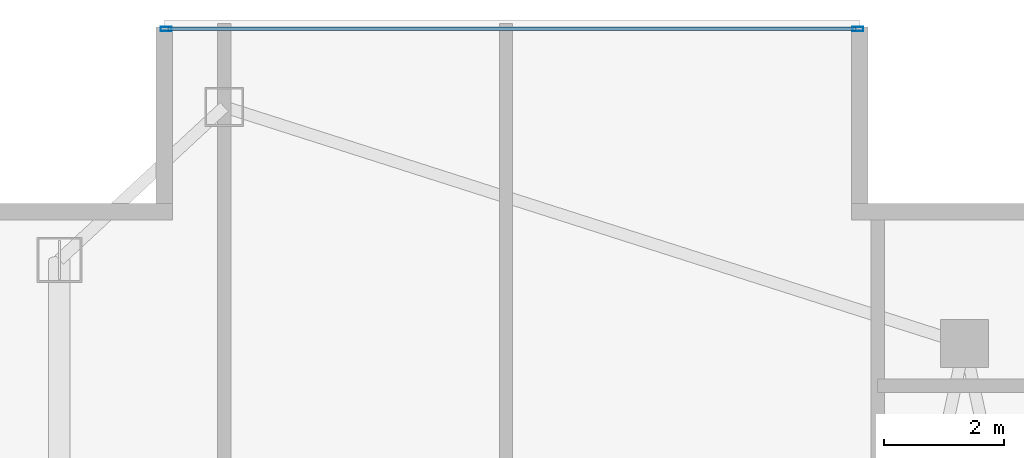
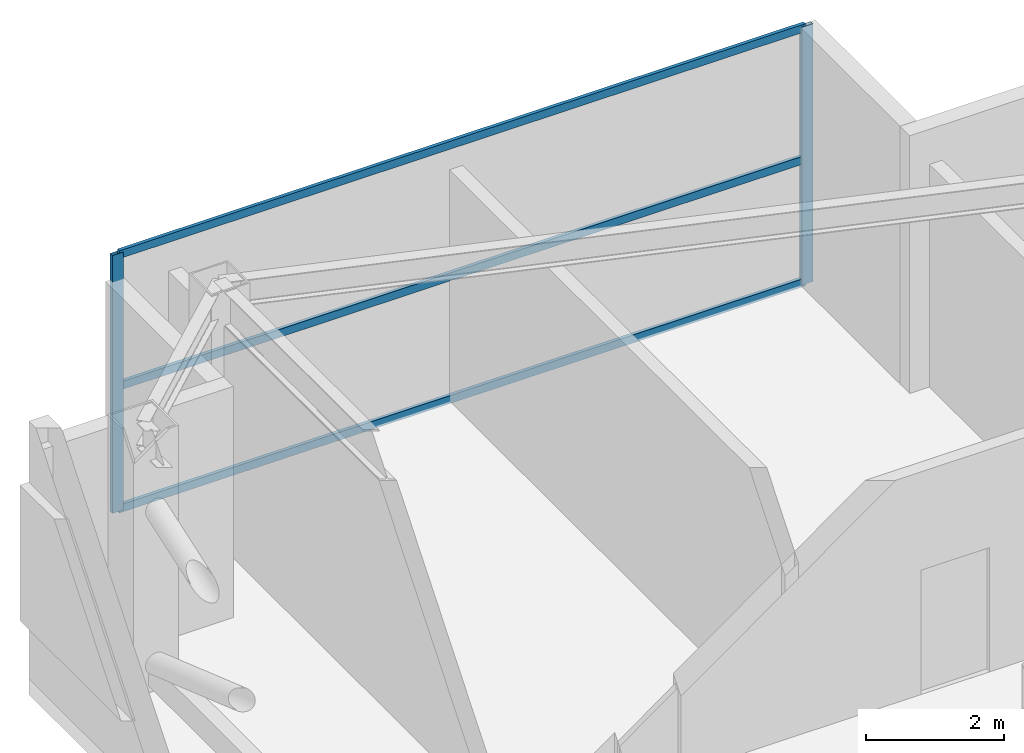
# One storey, part 7 of 16: 5 members, 1 element without a shape of its own.
"""IFC4 building model written with IfcOpenShell, lengths in metres."""

from ifc_helpers import new_model, si_unit, direction, frame, origin, origin_2d, place, context, subcontext, project, spatial, hollow_rectangle, extrude, material, layer, layer_set, material_profile, profile_set, type_object, element, aggregate, save


model = new_model("IFC4")

# Units and contexts
model_context = context("Model", 3, precision=1e-05, world=origin(), true_north=direction((0.0, 1.0)))
body_context = subcontext(model_context, "Body", "Model", "MODEL_VIEW")
ifc_project = project(units=[si_unit("LENGTHUNIT", "METRE"), si_unit("AREAUNIT", "SQUARE_METRE"), si_unit("VOLUMEUNIT", "CUBIC_METRE"), si_unit("PLANEANGLEUNIT", "RADIAN"), si_unit("MASSUNIT", "GRAM", prefix="KILO")], contexts=[model_context])

# Site, building, storey
site_placement = place(None, origin())
site = spatial("IfcSite", under=ifc_project, at=site_placement, CompositionType="ELEMENT")
building_placement = place(site_placement, origin())
building = spatial("IfcBuilding", under=site, at=building_placement, Name="Calvorn Quay Hotel", CompositionType="ELEMENT")
storey_placement = place(building_placement, frame((0.0, 0.0, 234.5)))
storey = spatial("IfcBuildingStorey", under=building, at=storey_placement, Name="L58", CompositionType="ELEMENT", Elevation=234.5)

# Curtain wall, members
ifc_material_1 = material(Name="Champagne Bronze Anodised Aluminium and Low-E Glass", Category="aluminium")
ifc_layer = layer(ifc_material_1, 0.219970703125)
ifc_layer_set = layer_set([ifc_layer], Name="CW-SYS-Z3")
curtain_wall_type = type_object("IfcCurtainWallType", Name="CW-SYS-Z3", PredefinedType="NOTDEFINED", material=ifc_layer_set)
curtain_wall_placement = place(storey_placement, origin())
curtain_wall = element("IfcCurtainWall", 1, at=curtain_wall_placement, inside=storey, type_object=curtain_wall_type, Name="Inner Court Curtain Wall L58-N1", PredefinedType="NOTDEFINED")
ifc_material_2 = material(Name="Champagne Bronze Anodised Aluminium 6063-T6", Category="aluminium")
ifc_material_profile_1 = material_profile(ifc_material_2, hollow_rectangle(XDim=0.068115234375, YDim=0.18505859375, WallThickness=0.00390625, at=origin_2d()), Name="ALU-M185x68x4")
ifc_profile_set_1 = profile_set([ifc_material_profile_1], Name="Champagne Bronze Anodised Aluminium 6063-T6")
member_type_1 = type_object("IfcMemberType", Name="CW-SYS-Z3-MUL", PredefinedType="MULLION", material=ifc_profile_set_1)
member_1_placement = place(storey_placement, frame((14.77001953125, 50.85009765625, 0.0), z_axis=(0.0, 0.0, 1.0), x_axis=(0.0, -1.0, 0.0)))
member_1 = element("IfcMember", 2, at=member_1_placement, type_object=member_type_1, Name="CW-L58-N1 mullion 1", PredefinedType="MULLION", context=body_context, shape_type="SweptSolid", body=[
    extrude(hollow_rectangle(XDim=0.068115234375, YDim=0.18505859375, WallThickness=0.00390625, at=origin_2d()), origin(), (0.0, 0.0, 1.0), 4.56005859375),
])
member_2_placement = place(storey_placement, frame((3.22998046875, 50.85009765625, 0.0), z_axis=(0.0, 0.0, 1.0), x_axis=(0.0, -1.0, 0.0)))
member_2 = element("IfcMember", 3, at=member_2_placement, type_object=member_type_1, Name="CW-L58-N1 mullion 2", PredefinedType="MULLION", context=body_context, shape_type="SweptSolid", body=[
    extrude(hollow_rectangle(XDim=0.068115234375, YDim=0.18505859375, WallThickness=0.00390625, at=origin_2d()), origin(), (0.0, 0.0, 1.0), 4.56005859375),
])
ifc_material_3 = material(Name="Champagne Bronze Anodised Aluminium 6063-T6", Category="aluminium")
ifc_material_profile_2 = material_profile(ifc_material_3, hollow_rectangle(XDim=0.05810546875, YDim=0.139892578125, WallThickness=0.003173828125, at=origin_2d()), Name="ALU-T140x58x3.2")
ifc_profile_set_2 = profile_set([ifc_material_profile_2], Name="Champagne Bronze Anodised Aluminium 6063-T6")
member_type_2 = type_object("IfcMemberType", Name="CW-SYS-Z3-TRN", PredefinedType="USERDEFINED", material=ifc_profile_set_2)
member_3_placement = place(storey_placement, frame((14.739990234375, 50.85009765625, 0.030029296875), z_axis=(-1.0, 0.0, 0.0), x_axis=(0.0, -1.0, 0.0)))
member_3 = element("IfcMember", 4, at=member_3_placement, type_object=member_type_2, Name="CW-L58-N1 transom 1.1", ObjectType="TRANSOM", PredefinedType="USERDEFINED", context=body_context, shape_type="SweptSolid", body=[
    extrude(hollow_rectangle(XDim=0.05810546875, YDim=0.139892578125, WallThickness=0.003173828125, at=origin_2d()), origin(), (0.0, 0.0, 1.0), 11.47998046875),
])
member_4_placement = place(storey_placement, frame((14.739990234375, 50.85009765625, 2.199951171875), z_axis=(-1.0, 0.0, 0.0), x_axis=(0.0, -1.0, 0.0)))
member_4 = element("IfcMember", 5, at=member_4_placement, type_object=member_type_2, Name="CW-L58-N1 transom 1.2", ObjectType="TRANSOM", PredefinedType="USERDEFINED", context=body_context, shape_type="SweptSolid", body=[
    extrude(hollow_rectangle(XDim=0.05810546875, YDim=0.139892578125, WallThickness=0.003173828125, at=origin_2d()), origin(), (0.0, 0.0, 1.0), 11.47998046875),
])
member_5_placement = place(storey_placement, frame((14.739990234375, 50.85009765625, 4.530029296875), z_axis=(-1.0, 0.0, 0.0), x_axis=(0.0, -1.0, 0.0)))
member_5 = element("IfcMember", 6, at=member_5_placement, type_object=member_type_2, Name="CW-L58-N1 transom 1.3", ObjectType="TRANSOM", PredefinedType="USERDEFINED", context=body_context, shape_type="SweptSolid", body=[
    extrude(hollow_rectangle(XDim=0.05810546875, YDim=0.139892578125, WallThickness=0.003173828125, at=origin_2d()), origin(), (0.0, 0.0, 1.0), 11.47998046875),
])
aggregate(curtain_wall, [member_1, member_2, member_3, member_4, member_5])

save(model, "model.ifc")
